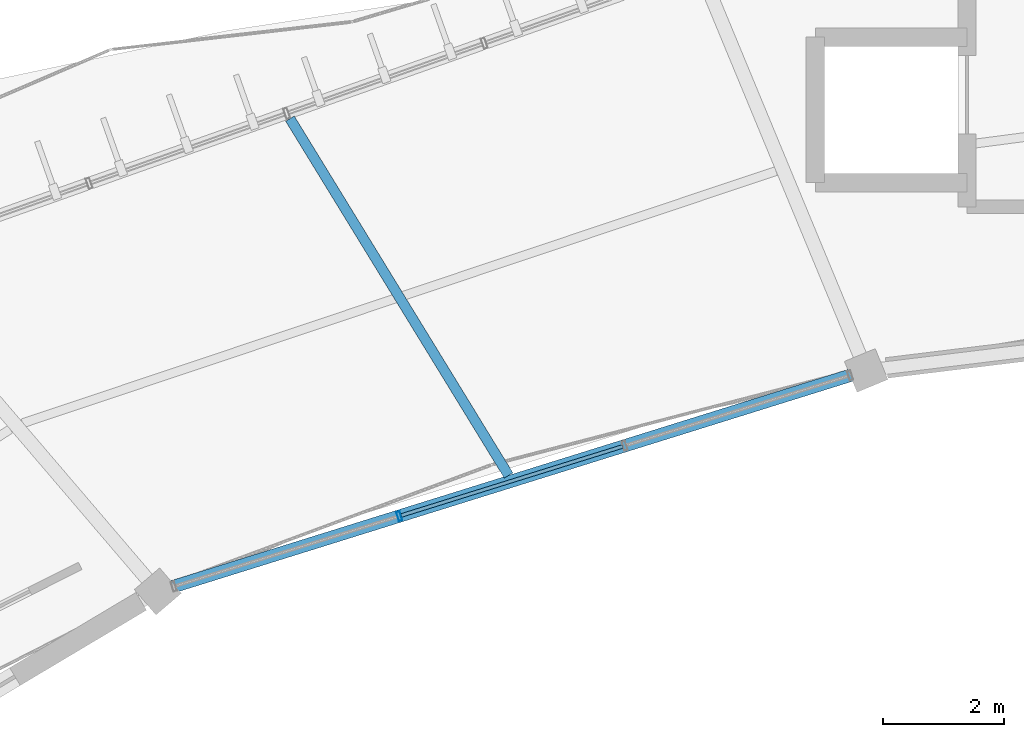
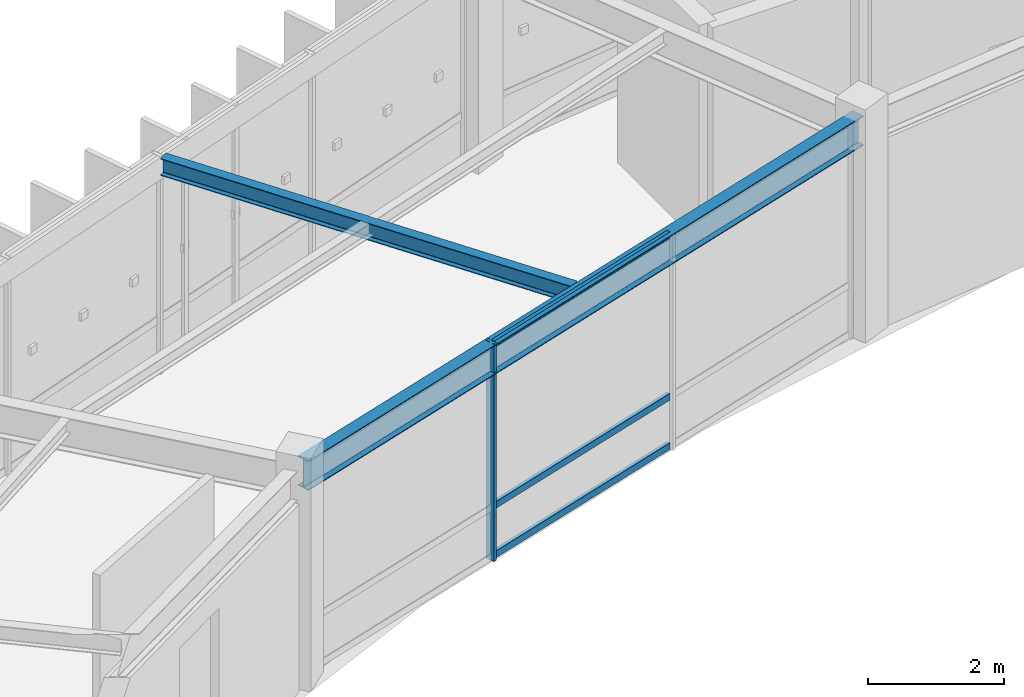
# One storey, part 38 of 83: 4 members, 2 beams, 1 element without a shape of its own.
"""IFC4 building model written with IfcOpenShell, lengths in metres."""

from ifc_helpers import new_model, si_unit, direction, frame, origin, origin_2d, place, context, subcontext, project, spatial, hollow_rectangle, i_section, extrude, material, material_profile, profile_set, type_object, element, aggregate, save


model = new_model("IFC4")

# Units and contexts
model_context = context("Model", 3, precision=1e-05, world=origin(), true_north=direction((0.0, 1.0)))
body_context = subcontext(model_context, "Body", "Model", "MODEL_VIEW")
ifc_project = project(units=[si_unit("LENGTHUNIT", "METRE"), si_unit("AREAUNIT", "SQUARE_METRE"), si_unit("VOLUMEUNIT", "CUBIC_METRE"), si_unit("PLANEANGLEUNIT", "RADIAN"), si_unit("MASSUNIT", "GRAM", prefix="KILO"), si_unit("THERMODYNAMICTEMPERATUREUNIT", "KELVIN"), si_unit("POWERUNIT", "WATT")], contexts=[model_context])

# Site, building, storey
site_placement = place(None, origin())
site = spatial("IfcSite", under=ifc_project, at=site_placement, CompositionType="ELEMENT")
building_placement = place(site_placement, origin())
building = spatial("IfcBuilding", under=site, at=building_placement, Name="Darbajah Civic Hall", CompositionType="ELEMENT")
storey_placement = place(building_placement, frame((0.0, 0.0, 18.0)))
storey = spatial("IfcBuildingStorey", under=building, at=storey_placement, Name="L04", CompositionType="ELEMENT", Elevation=18.0)

# Curtain wall, members
ifc_material_1 = material(Name="Anodised Bronze Aluminium and Low-E Glazing", Category="aluminium")
curtain_wall_type = type_object("IfcCurtainWallType", Name="Unitised Curtain Wall CW-67 11700x3900", PredefinedType="USERDEFINED", material=ifc_material_1)
curtain_wall_placement = place(storey_placement, origin())
curtain_wall = element("IfcCurtainWall", 1, at=curtain_wall_placement, inside=storey, type_object=curtain_wall_type, Name="L04 unitised curtain wall CW-V1I-L04-06", ObjectType="UNITISED CURTAIN WALL", PredefinedType="USERDEFINED")
ifc_material_2 = material(Name="Anodised Bronze Aluminium", Category="aluminium")
ifc_material_profile_1 = material_profile(ifc_material_2, hollow_rectangle(XDim=0.06005859375, YDim=0.159912109375, WallThickness=0.00341796875, at=origin_2d()), Name="ALU MULLION 60x160")
ifc_profile_set_1 = profile_set([ifc_material_profile_1], Name="Anodised Bronze Aluminium")
member_type_1 = type_object("IfcMemberType", Name="ALU MULLION 60x160", PredefinedType="MULLION", material=ifc_profile_set_1)
member_1_placement = place(storey_placement, frame((64.63720703125, 107.999755859375, 0.0), z_axis=(0.0, 0.0, 1.0), x_axis=(-0.954604963513, -0.297874744877, 0.0)))
member_1 = element("IfcMember", 2, at=member_1_placement, type_object=member_type_1, Name="CW-V1I-L04-06 mullion 3", PredefinedType="MULLION", context=body_context, shape_type="SweptSolid", body=[
    extrude(hollow_rectangle(XDim=0.06005859375, YDim=0.159912109375, WallThickness=0.00341796875, at=origin_2d()), origin(), (0.0, 0.0, 1.0), 3.919921875),
])
ifc_material_profile_2 = material_profile(ifc_material_2, hollow_rectangle(XDim=0.06005859375, YDim=0.1201171875, WallThickness=0.003173828125, at=origin_2d()), Name="ALU TRANSOM 60x120")
ifc_profile_set_2 = profile_set([ifc_material_profile_2], Name="Anodised Bronze Aluminium")
member_type_2 = type_object("IfcMemberType", Name="ALU TRANSOM 60x120", PredefinedType="USERDEFINED", material=ifc_profile_set_2)
member_2_placement = place(storey_placement, frame((68.322265625, 109.1494140625, 0.06005859375), z_axis=(-0.954632024493, -0.297788008175, 0.0), x_axis=(0.297788008175, -0.954632024493, 0.0)))
member_2 = element("IfcMember", 3, at=member_2_placement, type_object=member_type_2, Name="CW-V1I-L04-06 transom 2.1", ObjectType="TRANSOM", PredefinedType="USERDEFINED", context=body_context, shape_type="SweptSolid", body=[
    extrude(hollow_rectangle(XDim=0.06005859375, YDim=0.1201171875, WallThickness=0.003173828125, at=origin_2d()), origin(), (0.0, 0.0, 1.0), 3.825439453125),
])
member_3_placement = place(storey_placement, frame((68.322265625, 109.1494140625, 0.949951171875), z_axis=(-0.954632024493, -0.297788008175, 0.0), x_axis=(0.297788008175, -0.954632024493, 0.0)))
member_3 = element("IfcMember", 4, at=member_3_placement, type_object=member_type_2, Name="CW-V1I-L04-06 transom 2.2", ObjectType="TRANSOM", PredefinedType="USERDEFINED", context=body_context, shape_type="SweptSolid", body=[
    extrude(hollow_rectangle(XDim=0.06005859375, YDim=0.1201171875, WallThickness=0.003173828125, at=origin_2d()), origin(), (0.0, 0.0, 1.0), 3.825439453125),
])
member_4_placement = place(storey_placement, frame((68.322265625, 109.1494140625, 3.860107421875), z_axis=(-0.954632024493, -0.297788008175, 0.0), x_axis=(0.297788008175, -0.954632024493, 0.0)))
member_4 = element("IfcMember", 5, at=member_4_placement, type_object=member_type_2, Name="CW-V1I-L04-06 transom 2.3", ObjectType="TRANSOM", PredefinedType="USERDEFINED", context=body_context, shape_type="SweptSolid", body=[
    extrude(hollow_rectangle(XDim=0.06005859375, YDim=0.1201171875, WallThickness=0.003173828125, at=origin_2d()), origin(), (0.0, 0.0, 1.0), 3.825439453125),
])
aggregate(curtain_wall, [member_1, member_2, member_3, member_4])

# Beams
ifc_material_3 = material(Name="Steel S355JR", Category="steel")
ifc_material_profile_3 = material_profile(ifc_material_3, i_section(OverallWidth=0.165771484375, OverallDepth=0.306640625, WebThickness=0.006591796875, FlangeThickness=0.01171875, FilletRadius=0.0087890625, at=origin_2d()), Name="UB 305x165x46")
ifc_profile_set_3 = profile_set([ifc_material_profile_3], Name="Steel S355JR")
beam_type_1 = type_object("IfcBeamType", Name="UB 305x165x46", PredefinedType="JOIST", material=ifc_profile_set_3)
beam_1_placement = place(storey_placement, frame((66.44091796875, 108.670166015625, 3.7666015625), z_axis=(-0.522498199588, 0.852640388105, 0.0), x_axis=(-0.852640388105, -0.522498199588, 0.0)))
element("IfcBeam", 6, at=beam_1_placement, inside=storey, type_object=beam_type_1, Name="L04 beam SJ-305", PredefinedType="JOIST", context=body_context, shape_type="SweptSolid", body=[
    extrude(i_section(OverallWidth=0.165771484375, OverallDepth=0.306640625, WebThickness=0.006591796875, FlangeThickness=0.01171875, FilletRadius=0.0087890625, at=origin_2d()), origin(), (0.0, 0.0, 1.0), 6.9033203125),
])
ifc_material_profile_4 = material_profile(ifc_material_3, i_section(OverallWidth=0.209228515625, OverallDepth=0.533203125, WebThickness=0.010009765625, FlangeThickness=0.015625, FilletRadius=0.0126953125, at=origin_2d()), Name="UB 533x210x92")
ifc_profile_set_4 = profile_set([ifc_material_profile_4], Name="Steel S355JR")
beam_type_2 = type_object("IfcBeamType", Name="UB 533x210x92", PredefinedType="BEAM", material=ifc_profile_set_4)
beam_2_placement = place(storey_placement, frame((72.26220703125, 110.378662109375, 3.653564453125), z_axis=(-0.954619766764, -0.297827300468, 0.0), x_axis=(0.297827300468, -0.954619766764, 0.0)))
element("IfcBeam", 7, at=beam_2_placement, inside=storey, type_object=beam_type_2, Name="L04 beam SB-533", PredefinedType="BEAM", context=body_context, shape_type="SweptSolid", body=[
    extrude(i_section(OverallWidth=0.209228515625, OverallDepth=0.533203125, WebThickness=0.010009765625, FlangeThickness=0.015625, FilletRadius=0.0126953125, at=origin_2d()), origin(), (0.0, 0.0, 1.0), 12.07958984375),
])

save(model, "model.ifc")
